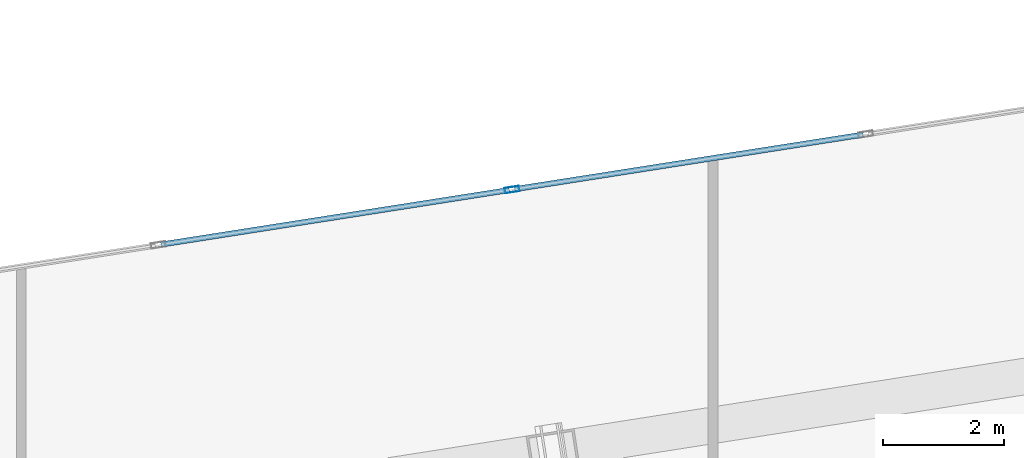
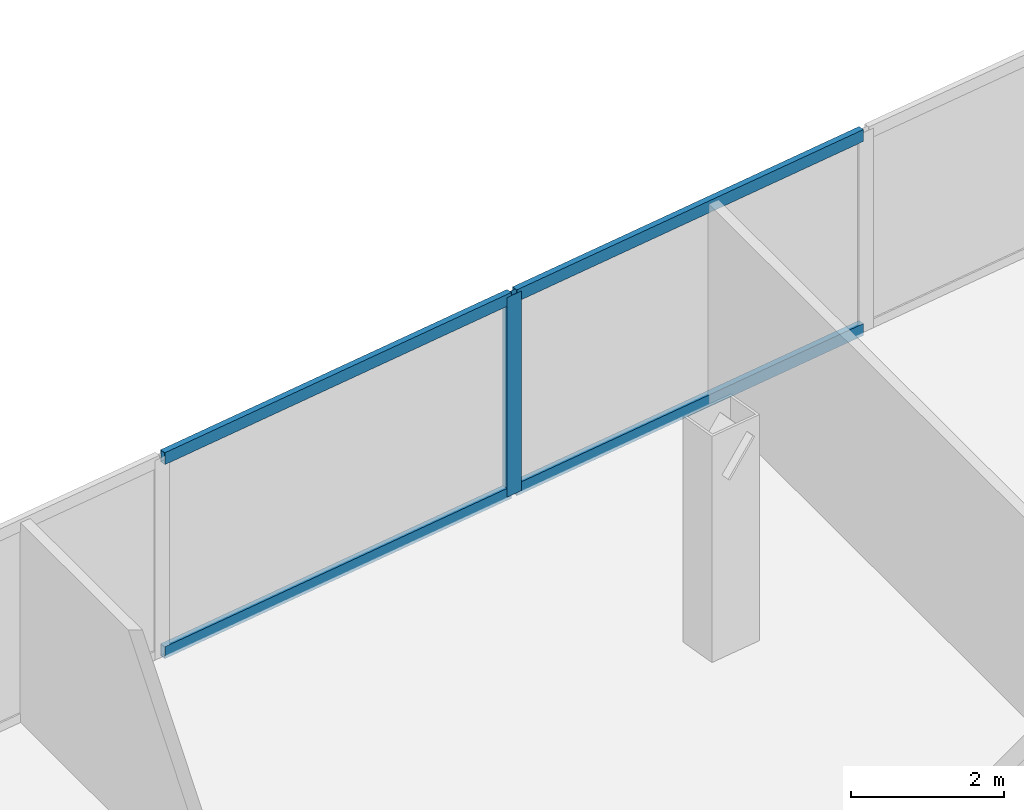
# One storey, part 11 of 17: 5 members, 1 element without a shape of its own.
"""IFC4 building model written with IfcOpenShell, lengths in metres."""

import ifcopenshell
import ifcopenshell.guid

model = None  # the IFC model being written
_history = None  # IfcOwnerHistory: only IFC2X3 demands one
_inside = {}  # id of a spatial element -> (the spatial element, [elements in it])
_under = {}  # id of a project, library or spatial element -> (it, [spatial elements below it])
_declared = {}  # id of a project -> (the project, [libraries it declares])
_typed = {}  # id of a type object -> (the type object, [elements of that type])
_made_of = {}  # id of a material, layer set ... -> (it, [elements and type objects made of it])


def new_model(schema):
    """Start an empty IFC model of exactly this schema.

    Asked for "IFC4X3", IfcOpenShell would pick the latest addendum, in which some entities
    have other attributes; the version numbers below select the first issue.
    IFC2X3 requires an IfcOwnerHistory on every rooted entity: one is made here for all.
    """
    global model, _history
    if schema == "IFC4X3":
        model = ifcopenshell.file(schema_version=(4, 3, 0, 0))
    else:
        model = ifcopenshell.file(schema=schema)
    _inside.clear()
    _under.clear()
    _declared.clear()
    _typed.clear()
    _made_of.clear()
    _history = None
    if model.schema == "IFC2X3":
        org = make("IfcOrganization", Name="unknown")
        user = make(
            "IfcPersonAndOrganization",
            ThePerson=make("IfcPerson", FamilyName="unknown"),
            TheOrganization=org,
        )
        app = make(
            "IfcApplication",
            ApplicationDeveloper=org,
            Version="unknown",
            ApplicationFullName="unknown",
            ApplicationIdentifier="unknown",
        )
        _history = make(
            "IfcOwnerHistory",
            OwningUser=user,
            OwningApplication=app,
            ChangeAction="ADDED",
            CreationDate=0,
        )
    return model


def make(cls, **values):
    """One entity of the class cls with the attributes given. An attribute that is None is left unset."""
    return model.create_entity(
        cls, **{name: value for name, value in values.items() if value is not None}
    )


def rooted(cls, **values):
    """An entity with a GlobalId (a new one), such as an element, a storey or a relation."""
    return make(cls, GlobalId=ifcopenshell.guid.new(), OwnerHistory=_history, **values)


def si_unit(unit_type, name, prefix=None):
    """IfcSIUnit, for example si_unit("LENGTHUNIT", "METRE", prefix="MILLI")."""
    return make("IfcSIUnit", UnitType=unit_type, Prefix=prefix, Name=name)


def assignment(units):
    """IfcUnitAssignment: the units of a project."""
    return None if units is None else make("IfcUnitAssignment", Units=units)


def point(xyz):
    """IfcCartesianPoint."""
    return None if xyz is None else make("IfcCartesianPoint", Coordinates=xyz)


def direction(xyz):
    """IfcDirection."""
    return None if xyz is None else make("IfcDirection", DirectionRatios=xyz)


def frame(location, z_axis=None, x_axis=None):
    """IfcAxis2Placement3D, a coordinate frame: its origin and axes. An axis left out is left unset."""
    return make(
        "IfcAxis2Placement3D",
        Location=point(location),
        Axis=direction(z_axis),
        RefDirection=direction(x_axis),
    )


def frame_2d(location, x_axis=None):
    """IfcAxis2Placement2D, a coordinate frame in the plane: its origin and x axis."""
    return make(
        "IfcAxis2Placement2D", Location=point(location), RefDirection=direction(x_axis)
    )


def origin():
    """The frame at (0, 0, 0) with its axes left unset."""
    return frame((0.0, 0.0, 0.0))


def origin_2d():
    """The frame at (0, 0) in the plane with its x axis left unset."""
    return frame_2d((0.0, 0.0))


def place(relative_to, where):
    """IfcLocalPlacement: puts the frame where relative to a parent placement (None: the world)."""
    return make(
        "IfcLocalPlacement", PlacementRelTo=relative_to, RelativePlacement=where
    )


def context(
    kind, dimensions, precision=None, world=None, true_north=None, identifier=None
):
    """IfcGeometricRepresentationContext, for example the 3D "Model" context."""
    return make(
        "IfcGeometricRepresentationContext",
        ContextIdentifier=identifier,
        ContextType=kind,
        CoordinateSpaceDimension=dimensions,
        Precision=precision,
        WorldCoordinateSystem=world,
        TrueNorth=true_north,
    )


def subcontext(parent, identifier, kind, view, scale=None):
    """IfcGeometricRepresentationSubContext, for example "Body" below "Model"."""
    return make(
        "IfcGeometricRepresentationSubContext",
        ContextIdentifier=identifier,
        ContextType=kind,
        ParentContext=parent,
        TargetScale=scale,
        TargetView=view,
    )


def project(units=None, contexts=None):
    """IfcProject with its units and contexts."""
    return rooted(
        "IfcProject",
        Name="project",
        RepresentationContexts=contexts,
        UnitsInContext=assignment(units),
    )


def spatial(cls, under=None, at=None, **own):
    """A site, building, storey or space (cls), placed at a placement, below another one or the project."""
    s = rooted(cls, ObjectPlacement=at, **own)
    if under is not None:
        _under.setdefault(under.id(), (under, []))[1].append(s)
    return s


def profile(cls, at=None, kind="AREA", **sizes):
    """A parametric profile (cls). Its sizes go by their IFC names, for example OverallWidth=200.0."""
    return make(cls, ProfileType=kind, Position=at, **sizes)


def hollow_rectangle(**sizes):
    """IfcRectangleHollowProfileDef."""
    return profile("IfcRectangleHollowProfileDef", **sizes)


def extrude(swept, where, along, depth):
    """IfcExtrudedAreaSolid: the profile swept, set in the frame where, extruded along a direction by depth."""
    return make(
        "IfcExtrudedAreaSolid",
        SweptArea=swept,
        Position=where,
        ExtrudedDirection=direction(along),
        Depth=depth,
    )


def shape(context_of_items, identifier, shape_type, items):
    """IfcShapeRepresentation: the items that make up one representation, for example the "Body"."""
    return make(
        "IfcShapeRepresentation",
        ContextOfItems=context_of_items,
        RepresentationIdentifier=identifier,
        RepresentationType=shape_type,
        Items=items,
    )


def material(Name=None, Category=None):
    """IfcMaterial."""
    return make("IfcMaterial", Name=Name, Category=Category)


def material_profile(
    of_material, cross_section, Name=None, Category=None, Priority=None
):
    """IfcMaterialProfile: a cross section and its material."""
    return make(
        "IfcMaterialProfile",
        Name=Name,
        Material=of_material,
        Profile=cross_section,
        Priority=Priority,
        Category=Category,
    )


def profile_set(profiles, Name=None, composite=None):
    """IfcMaterialProfileSet."""
    return make(
        "IfcMaterialProfileSet",
        Name=Name,
        MaterialProfiles=profiles,
        CompositeProfile=composite,
    )


def made_of(thing, what):
    """Note that an element or type object is made of a material, layer set ...; save() writes the relation."""
    if what is not None:
        _made_of.setdefault(what.id(), (what, []))[1].append(thing)
    return thing


def type_object(cls, material=None, **own):
    """A type object (cls), such as IfcWallType, which elements share."""
    return made_of(rooted(cls, **own), material)


def element(
    cls,
    number,
    at=None,
    inside=None,
    cuts=None,
    type_object=None,
    material=None,
    context=None,
    identifier="Body",
    shape_type=None,
    held_by="IfcProductDefinitionShape",
    body=None,
    shapes=None,
    **own,
):
    """One element of the class cls, such as IfcWall. Its Tag is "e" and its number.

    at: its placement. inside: the storey or other place that contains it. cuts: it is an
    opening in that element (IfcRelVoidsElement). A single representation is given by context,
    identifier, shape_type and body (its items); several are given by shapes. held_by: the class
    of the entity that holds the representations. save() writes the other relations.
    """
    e = rooted(cls, Tag="e%d" % number, ObjectPlacement=at, **own)
    if body is not None:
        shapes = [shape(context, identifier, shape_type, body)]
    if shapes is not None:
        e.Representation = make(held_by, Representations=shapes)
    if inside is not None:
        _inside.setdefault(inside.id(), (inside, []))[1].append(e)
    if cuts is not None:
        rooted(
            "IfcRelVoidsElement", RelatingBuildingElement=cuts, RelatedOpeningElement=e
        )
    if type_object is not None:
        _typed.setdefault(type_object.id(), (type_object, []))[1].append(e)
    return made_of(e, material)


def aggregate(whole, parts):
    """IfcRelAggregates: a whole, such as a stair, and the parts it consists of."""
    return rooted("IfcRelAggregates", RelatingObject=whole, RelatedObjects=parts)


def save(model, path):
    """Write the relations noted so far, then the file.

    IfcRelAggregates (storeys below a building ...), IfcRelContainedInSpatialStructure (elements
    in a storey), IfcRelDefinesByType, IfcRelAssociatesMaterial and IfcRelDeclares: one each for
    every whole, place, type object, material and project.
    """
    for whole, parts in _under.values():
        aggregate(whole, parts)
    for where, things in _inside.values():
        rooted(
            "IfcRelContainedInSpatialStructure",
            RelatedElements=things,
            RelatingStructure=where,
        )
    for kind, things in _typed.values():
        rooted("IfcRelDefinesByType", RelatedObjects=things, RelatingType=kind)
    for what, things in _made_of.values():
        rooted("IfcRelAssociatesMaterial", RelatedObjects=things, RelatingMaterial=what)
    for by, libraries in _declared.values():
        rooted("IfcRelDeclares", RelatingContext=by, RelatedDefinitions=libraries)
    model.write(path)


model = new_model("IFC4")

# Units and contexts
model_context = context("Model", 3, precision=1e-05, world=origin(), true_north=direction((0.0, 1.0)))
body_context = subcontext(model_context, "Body", "Model", "MODEL_VIEW")
ifc_project = project(units=[si_unit("LENGTHUNIT", "METRE"), si_unit("AREAUNIT", "SQUARE_METRE"), si_unit("VOLUMEUNIT", "CUBIC_METRE"), si_unit("PLANEANGLEUNIT", "RADIAN"), si_unit("MASSUNIT", "GRAM", prefix="KILO")], contexts=[model_context])

# Site, building, storey
site_placement = place(None, origin())
site = spatial("IfcSite", under=ifc_project, at=site_placement, CompositionType="ELEMENT")
building_placement = place(site_placement, origin())
building = spatial("IfcBuilding", under=site, at=building_placement, Name="Haldenkirk Collegiate Tower", CompositionType="ELEMENT")
storey_placement = place(building_placement, frame((0.0, 0.0, 371.39990234375)))
storey = spatial("IfcBuildingStorey", under=building, at=storey_placement, Name="L94", CompositionType="ELEMENT", Elevation=371.39990234375)

# Curtain wall, members
ifc_material = material(Name="Anodised architectural bronze aluminium", Category="aluminium")
curtain_wall_type = type_object("IfcCurtainWallType", Name="CW-SYS6-CROWN", PredefinedType="USERDEFINED", material=ifc_material)
curtain_wall_placement = place(storey_placement, origin())
curtain_wall = element("IfcCurtainWall", 1, at=curtain_wall_placement, inside=storey, type_object=curtain_wall_type, Name="L94 Closed crown ring ceramic-fritted bronze screen curtain wall", ObjectType="UNITISED CURTAIN WALL", PredefinedType="USERDEFINED")
ifc_material_profile_1 = material_profile(ifc_material, hollow_rectangle(XDim=0.090087890625, YDim=0.239990234375, WallThickness=0.0048828125, at=origin_2d()), Name="CW-MUL-06")
ifc_profile_set_1 = profile_set([ifc_material_profile_1], Name="Anodised architectural bronze aluminium")
member_type_1 = type_object("IfcMemberType", Name="CW-MUL-06", PredefinedType="MULLION", material=ifc_profile_set_1)
member_1_placement = place(storey_placement, frame((32.689208984375, 47.142333984375, 0.0), z_axis=(0.0, 0.0, 1.0), x_axis=(-0.154708982189, 0.987960085646, 0.0)))
member_1 = element("IfcMember", 2, at=member_1_placement, type_object=member_type_1, Name="CW-06 mullion 4", PredefinedType="MULLION", context=body_context, shape_type="SweptSolid", body=[
    extrude(hollow_rectangle(XDim=0.090087890625, YDim=0.239990234375, WallThickness=0.0048828125, at=origin_2d()), origin(), (0.0, 0.0, 1.0), 3.18017578125),
])
ifc_material_profile_2 = material_profile(ifc_material, hollow_rectangle(XDim=0.090087890625, YDim=0.18994140625, WallThickness=0.0048828125, at=origin_2d()), Name="CW-TRN-06")
ifc_profile_set_2 = profile_set([ifc_material_profile_2], Name="Anodised architectural bronze aluminium")
member_type_2 = type_object("IfcMemberType", Name="CW-TRN-06", PredefinedType="USERDEFINED", material=ifc_profile_set_2)
member_2_placement = place(storey_placement, frame((26.90478515625, 46.236572265625, 0.045166015625), z_axis=(0.987958095237, 0.154721692257, 0.0), x_axis=(-0.154721692257, 0.987958095237, 0.0)))
member_2 = element("IfcMember", 3, at=member_2_placement, type_object=member_type_2, Name="CW-06 transom 3.1", ObjectType="TRANSOM", PredefinedType="USERDEFINED", context=body_context, shape_type="SweptSolid", body=[
    extrude(hollow_rectangle(XDim=0.090087890625, YDim=0.18994140625, WallThickness=0.0048828125, at=origin_2d()), origin(), (0.0, 0.0, 1.0), 5.81005859375),
])
member_3_placement = place(storey_placement, frame((26.90478515625, 46.236572265625, 3.135009765625), z_axis=(0.987958095237, 0.154721692257, 0.0), x_axis=(-0.154721692257, 0.987958095237, 0.0)))
member_3 = element("IfcMember", 4, at=member_3_placement, type_object=member_type_2, Name="CW-06 transom 3.2", ObjectType="TRANSOM", PredefinedType="USERDEFINED", context=body_context, shape_type="SweptSolid", body=[
    extrude(hollow_rectangle(XDim=0.090087890625, YDim=0.18994140625, WallThickness=0.0048828125, at=origin_2d()), origin(), (0.0, 0.0, 1.0), 5.81005859375),
])
member_4_placement = place(storey_placement, frame((32.733642578125, 47.1494140625, 0.045166015625), z_axis=(0.987964517712, 0.154680676692, 0.0), x_axis=(-0.154680676692, 0.987964517712, 0.0)))
member_4 = element("IfcMember", 5, at=member_4_placement, type_object=member_type_2, Name="CW-06 transom 4.1", ObjectType="TRANSOM", PredefinedType="USERDEFINED", context=body_context, shape_type="SweptSolid", body=[
    extrude(hollow_rectangle(XDim=0.090087890625, YDim=0.18994140625, WallThickness=0.0048828125, at=origin_2d()), origin(), (0.0, 0.0, 1.0), 5.809814453125),
])
member_5_placement = place(storey_placement, frame((32.733642578125, 47.1494140625, 3.135009765625), z_axis=(0.987964517712, 0.154680676692, 0.0), x_axis=(-0.154680676692, 0.987964517712, 0.0)))
member_5 = element("IfcMember", 6, at=member_5_placement, type_object=member_type_2, Name="CW-06 transom 4.2", ObjectType="TRANSOM", PredefinedType="USERDEFINED", context=body_context, shape_type="SweptSolid", body=[
    extrude(hollow_rectangle(XDim=0.090087890625, YDim=0.18994140625, WallThickness=0.0048828125, at=origin_2d()), origin(), (0.0, 0.0, 1.0), 5.809814453125),
])
aggregate(curtain_wall, [member_1, member_2, member_3, member_4, member_5])

save(model, "model.ifc")
